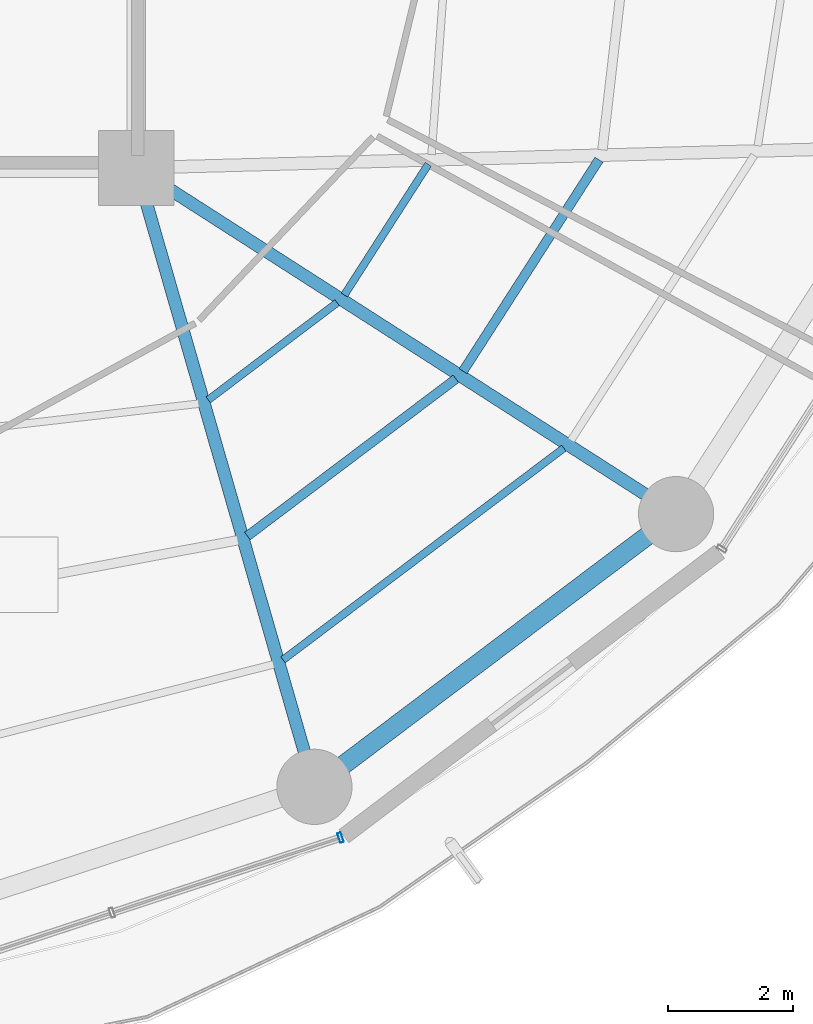
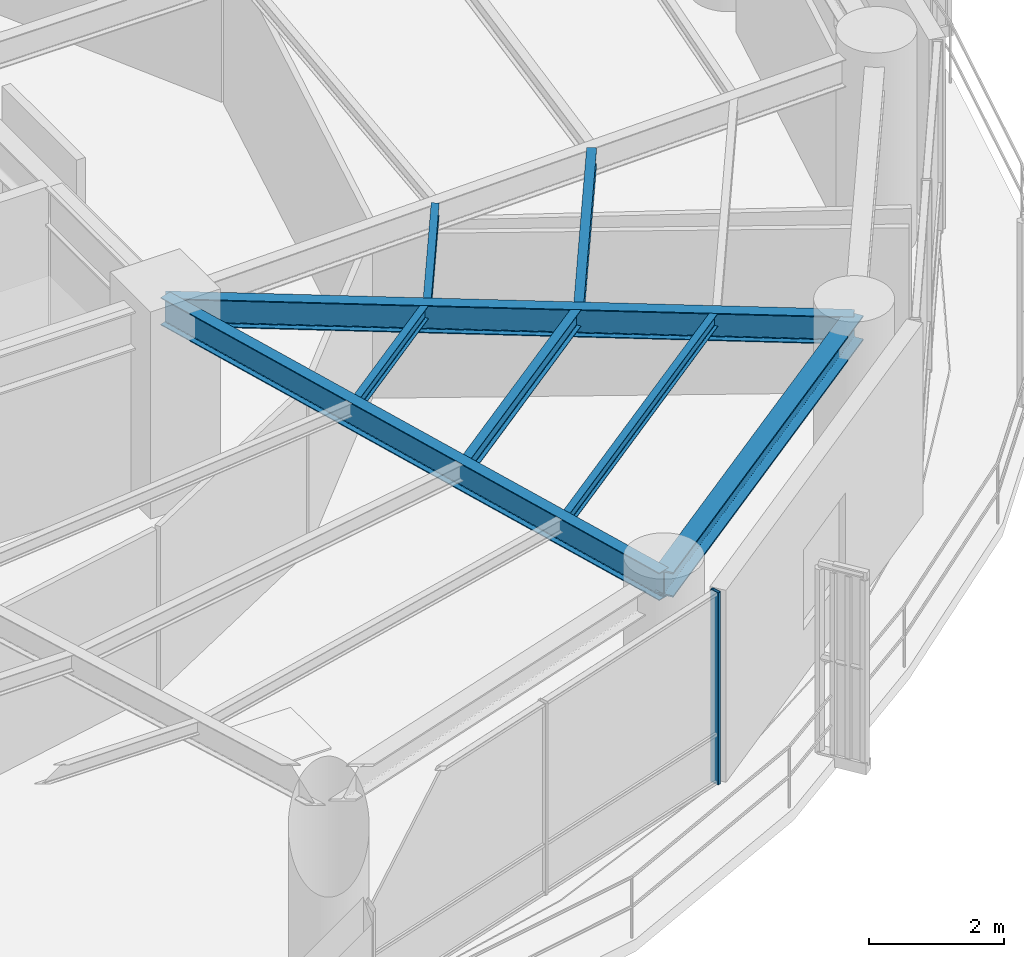
# One storey, part 10 of 28: 8 beams, 1 member, 1 element without a shape of its own.
"""IFC4 building model written with IfcOpenShell, lengths in metres."""

from ifc_helpers import new_model, si_unit, direction, frame, origin, origin_2d, place, context, subcontext, project, spatial, hollow_rectangle, i_section, extrude, material, layer, layer_set, material_profile, profile_set, type_object, element, aggregate, save


model = new_model("IFC4")

# Units and contexts
model_context = context("Model", 3, precision=1e-05, world=origin(), true_north=direction((0.0, 1.0)))
body_context = subcontext(model_context, "Body", "Model", "MODEL_VIEW")
ifc_project = project(units=[si_unit("LENGTHUNIT", "METRE"), si_unit("AREAUNIT", "SQUARE_METRE"), si_unit("VOLUMEUNIT", "CUBIC_METRE"), si_unit("PLANEANGLEUNIT", "RADIAN"), si_unit("MASSUNIT", "GRAM", prefix="KILO")], contexts=[model_context])

# Site, building, storey
site_placement = place(None, origin())
site = spatial("IfcSite", under=ifc_project, at=site_placement, CompositionType="ELEMENT")
building_placement = place(site_placement, origin())
building = spatial("IfcBuilding", under=site, at=building_placement, Name="Kelanora Arch Commons", CompositionType="ELEMENT")
storey_placement = place(building_placement, frame((0.0, 0.0, 139.35009765625)))
storey = spatial("IfcBuildingStorey", under=building, at=storey_placement, Name="L35", CompositionType="ELEMENT", Elevation=139.35009765625)

# Beams
ifc_material_1 = material(Name="Steel S355", Category="steel")
ifc_material_profile_1 = material_profile(ifc_material_1, i_section(OverallWidth=0.14990234375, OverallDepth=0.300048828125, WebThickness=0.007080078125, FlangeThickness=0.0107421875, FilletRadius=0.014892578125, at=origin_2d()), Name="IPE300")
ifc_profile_set_1 = profile_set([ifc_material_profile_1], Name="Steel S355")
beam_type_1 = type_object("IfcBeamType", Name="BM-JST-01", PredefinedType="JOIST", material=ifc_profile_set_1)
beam_1_placement = place(storey_placement, frame((83.77197265625, 45.129150390625, 3.33984375), z_axis=(0.798463547891, 0.602043156833, 0.0), x_axis=(-0.602043156833, 0.798463547891, 0.0)))
element("IfcBeam", 1, at=beam_1_placement, inside=storey, type_object=beam_type_1, Name="Secondary Chord Joist BJB-30 L35", PredefinedType="JOIST", context=body_context, shape_type="SweptSolid", body=[
    extrude(i_section(OverallWidth=0.14990234375, OverallDepth=0.300048828125, WebThickness=0.007080078125, FlangeThickness=0.0107421875, FilletRadius=0.014892578125, at=origin_2d()), origin(), (0.0, 0.0, 1.0), 4.163818359375),
])
beam_2_placement = place(storey_placement, frame((87.210693359375, 47.758544921875, 3.33984375), z_axis=(0.540594434398, 0.841283339606, 0.0), x_axis=(-0.841283339606, 0.540594434398, 0.0)))
element("IfcBeam", 2, at=beam_2_placement, inside=storey, type_object=beam_type_1, Name="Secondary Chord Joist BJB-32 L35", PredefinedType="JOIST", context=body_context, shape_type="SweptSolid", body=[
    extrude(i_section(OverallWidth=0.14990234375, OverallDepth=0.300048828125, WebThickness=0.007080078125, FlangeThickness=0.0107421875, FilletRadius=0.014892578125, at=origin_2d()), origin(), (0.0, 0.0, 1.0), 4.008544921875),
])
ifc_material_profile_2 = material_profile(ifc_material_1, i_section(OverallWidth=0.1201171875, OverallDepth=0.239990234375, WebThickness=0.006103515625, FlangeThickness=0.009765625, FilletRadius=0.014892578125, at=origin_2d()), Name="IPE240")
ifc_profile_set_2 = profile_set([ifc_material_profile_2], Name="Steel S355")
beam_type_2 = type_object("IfcBeamType", Name="BM-JST-02", PredefinedType="JOIST", material=ifc_profile_set_2)
beam_3_placement = place(storey_placement, frame((83.147216796875, 47.300537109375, 3.369873046875), z_axis=(0.798484118859, 0.602015873487, 0.0), x_axis=(-0.602015873487, 0.798484118859, 0.0)))
element("IfcBeam", 3, at=beam_3_placement, inside=storey, type_object=beam_type_2, Name="Secondary Chord Joist BJA-30 L35", PredefinedType="JOIST", context=body_context, shape_type="SweptSolid", body=[
    extrude(i_section(OverallWidth=0.1201171875, OverallDepth=0.239990234375, WebThickness=0.006103515625, FlangeThickness=0.009765625, FilletRadius=0.014892578125, at=origin_2d()), origin(), (0.0, 0.0, 1.0), 2.57470703125),
])
beam_4_placement = place(storey_placement, frame((84.33984375, 43.155029296875, 3.369873046875), z_axis=(0.798493128577, 0.602003923256, 0.0), x_axis=(-0.602003923256, 0.798493128577, 0.0)))
element("IfcBeam", 4, at=beam_4_placement, inside=storey, type_object=beam_type_2, Name="Secondary Chord Joist BJC-30 L35", PredefinedType="JOIST", context=body_context, shape_type="SweptSolid", body=[
    extrude(i_section(OverallWidth=0.1201171875, OverallDepth=0.239990234375, WebThickness=0.006103515625, FlangeThickness=0.009765625, FilletRadius=0.014892578125, at=origin_2d()), origin(), (0.0, 0.0, 1.0), 5.608642578125),
])
beam_5_placement = place(storey_placement, frame((85.31689453125, 48.973388671875, 3.369873046875), z_axis=(0.540583174025, 0.841290575224, 0.0), x_axis=(-0.841290575224, 0.540583174025, 0.0)))
element("IfcBeam", 5, at=beam_5_placement, inside=storey, type_object=beam_type_2, Name="Secondary Chord Joist BJA-32 L35", PredefinedType="JOIST", context=body_context, shape_type="SweptSolid", body=[
    extrude(i_section(OverallWidth=0.1201171875, OverallDepth=0.239990234375, WebThickness=0.006103515625, FlangeThickness=0.009765625, FilletRadius=0.014892578125, at=origin_2d()), origin(), (0.0, 0.0, 1.0), 2.476318359375),
])
ifc_material_profile_3 = material_profile(ifc_material_1, i_section(OverallWidth=0.199951171875, OverallDepth=0.5, WebThickness=0.01025390625, FlangeThickness=0.01611328125, FilletRadius=0.02099609375, at=origin_2d()), Name="IPE500")
ifc_profile_set_3 = profile_set([ifc_material_profile_3], Name="Steel S355")
beam_type_3 = type_object("IfcBeamType", Name="BM-RAD-Z3", PredefinedType="BEAM", material=ifc_profile_set_3)
beam_6_placement = place(storey_placement, frame((82.0, 51.0, 3.239990234375), z_axis=(0.276525880065, -0.961006471182, 0.0), x_axis=(0.961006471182, 0.276525880065, 0.0)))
element("IfcBeam", 6, at=beam_6_placement, inside=storey, type_object=beam_type_3, Name="Radial Floor Girder BR-30 L35", PredefinedType="BEAM", context=body_context, shape_type="SweptSolid", body=[
    extrude(i_section(OverallWidth=0.199951171875, OverallDepth=0.5, WebThickness=0.01025390625, FlangeThickness=0.01611328125, FilletRadius=0.02099609375, at=origin_2d()), origin(), (0.0, 0.0, 1.0), 10.2705078125),
])
beam_7_placement = place(storey_placement, frame((82.0, 51.0, 3.239990234375), z_axis=(0.841719465748, -0.539915123868, 0.0), x_axis=(0.539915123868, 0.841719465748, 0.0)))
element("IfcBeam", 7, at=beam_7_placement, inside=storey, type_object=beam_type_3, Name="Radial Floor Girder BR-32 L35", PredefinedType="BEAM", context=body_context, shape_type="SweptSolid", body=[
    extrude(i_section(OverallWidth=0.199951171875, OverallDepth=0.5, WebThickness=0.01025390625, FlangeThickness=0.01611328125, FilletRadius=0.02099609375, at=origin_2d()), origin(), (0.0, 0.0, 1.0), 10.2265625),
])
ifc_material_profile_4 = material_profile(ifc_material_1, i_section(OverallWidth=0.300048828125, OverallDepth=0.449951171875, WebThickness=0.013916015625, FlangeThickness=0.02587890625, FilletRadius=0.027099609375, at=origin_2d()), Name="HEB450")
ifc_profile_set_4 = profile_set([ifc_material_profile_4], Name="Steel S355")
beam_type_4 = type_object("IfcBeamType", Name="BM-SPN-Z3", PredefinedType="SPANDREL", material=ifc_profile_set_4)
beam_8_placement = place(storey_placement, frame((84.840087890625, 41.1298828125, 3.264892578125), z_axis=(0.798484645564, 0.60201517489, 0.0), x_axis=(-0.60201517489, 0.798484645564, 0.0)))
element("IfcBeam", 8, at=beam_8_placement, inside=storey, type_object=beam_type_4, Name="Perimeter Spandrel Beam BS-30 L35", PredefinedType="SPANDREL", context=body_context, shape_type="SweptSolid", body=[
    extrude(i_section(OverallWidth=0.300048828125, OverallDepth=0.449951171875, WebThickness=0.013916015625, FlangeThickness=0.02587890625, FilletRadius=0.027099609375, at=origin_2d()), origin(), (0.0, 0.0, 1.0), 7.223388671875),
])

# Curtain wall, member
ifc_material_2 = material(Name="Terracotta ceramic-fritted low-E glass and aluminium", Category="masonry")
ifc_layer = layer(ifc_material_2, 0.175048828125)
ifc_layer_set = layer_set([ifc_layer], Name="Terracotta ceramic-fritted low-E glass and aluminium")
curtain_wall_type = type_object("IfcCurtainWallType", Name="CW-SYS-02", PredefinedType="NOTDEFINED", material=ifc_layer_set)
curtain_wall_placement = place(storey_placement, origin())
curtain_wall = element("IfcCurtainWall", 9, at=curtain_wall_placement, inside=storey, type_object=curtain_wall_type, Name="Unitised Curtain Wall L35-B14", PredefinedType="NOTDEFINED")
ifc_material_3 = material(Name="Powder-coated aluminium terracotta", Category="masonry")
ifc_material_profile_5 = material_profile(ifc_material_3, hollow_rectangle(XDim=0.159912109375, YDim=0.06005859375, WallThickness=0.0048828125, InnerFilletRadius=0.0048828125, OuterFilletRadius=0.010009765625, at=origin_2d()), Name="CWM160x60")
ifc_profile_set_5 = profile_set([ifc_material_profile_5], Name="Powder-coated aluminium terracotta")
member_type = type_object("IfcMemberType", Name="CWM-STD", PredefinedType="MULLION", material=ifc_profile_set_5)
member_placement = place(storey_placement, frame((85.257080078125, 40.319091796875, 0.0), z_axis=(0.0, 0.0, 1.0), x_axis=(-0.312128279571, 0.95003996605, 0.0)))
member = element("IfcMember", 10, at=member_placement, type_object=member_type, Name="CW-02 mullion 3", PredefinedType="MULLION", context=body_context, shape_type="SweptSolid", body=[
    extrude(hollow_rectangle(XDim=0.159912109375, YDim=0.06005859375, WallThickness=0.0048828125, InnerFilletRadius=0.0048828125, OuterFilletRadius=0.010009765625, at=origin_2d()), origin(), (0.0, 0.0, 1.0), 3.474853515625),
])
aggregate(curtain_wall, [member])

save(model, "model.ifc")
